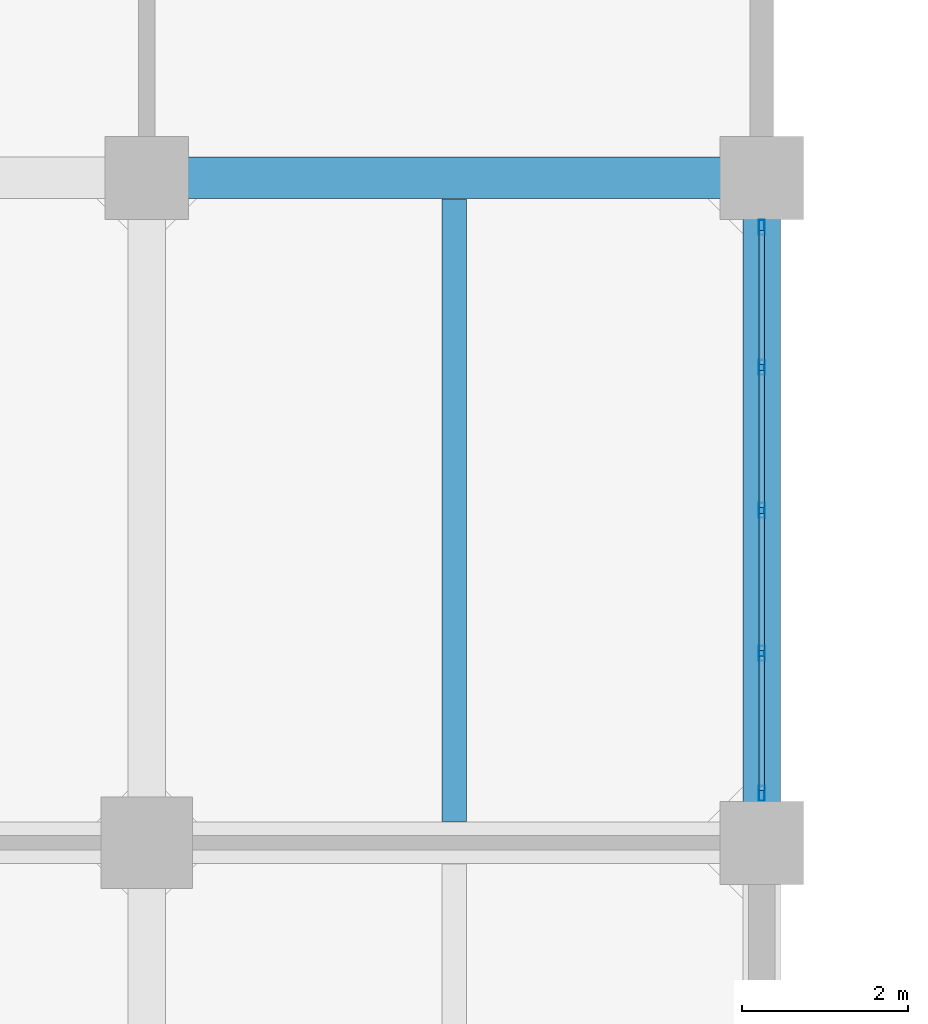
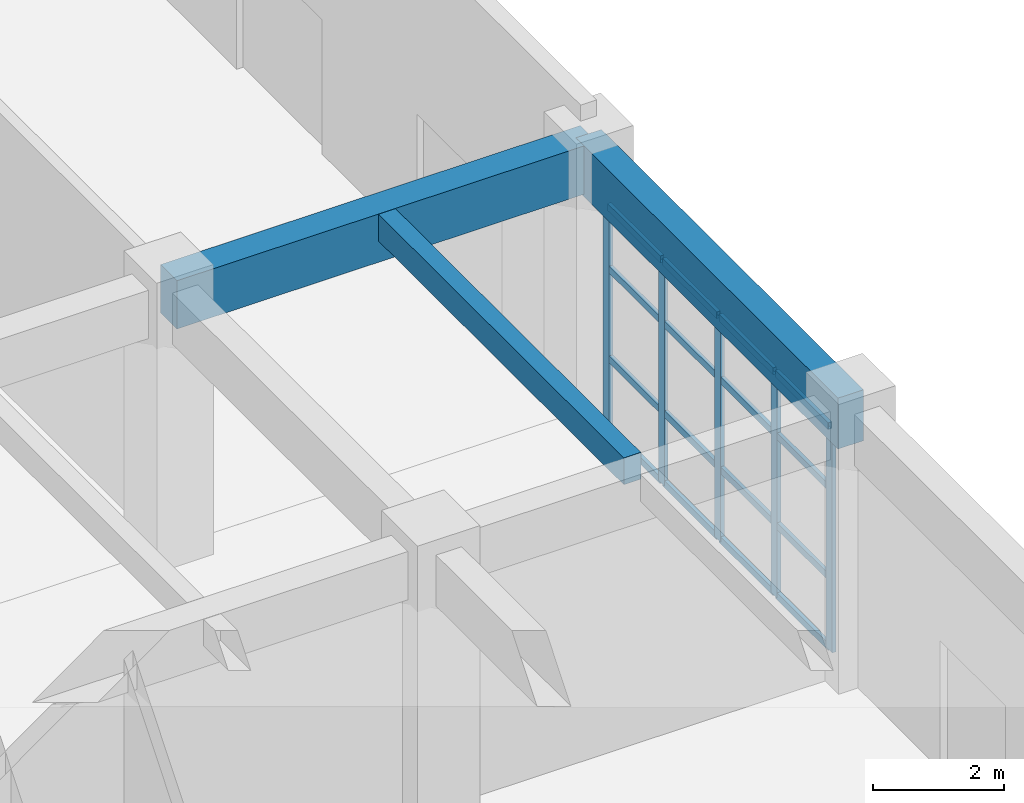
# One storey, part 58 of 90: 21 members, 3 beams, 1 element without a shape of its own.
"""IFC4 building model written with IfcOpenShell, lengths in metres."""

import ifcopenshell
import ifcopenshell.guid

model = None  # the IFC model being written
_history = None  # IfcOwnerHistory: only IFC2X3 demands one
_inside = {}  # id of a spatial element -> (the spatial element, [elements in it])
_under = {}  # id of a project, library or spatial element -> (it, [spatial elements below it])
_declared = {}  # id of a project -> (the project, [libraries it declares])
_typed = {}  # id of a type object -> (the type object, [elements of that type])
_made_of = {}  # id of a material, layer set ... -> (it, [elements and type objects made of it])


def new_model(schema):
    """Start an empty IFC model of exactly this schema.

    Asked for "IFC4X3", IfcOpenShell would pick the latest addendum, in which some entities
    have other attributes; the version numbers below select the first issue.
    IFC2X3 requires an IfcOwnerHistory on every rooted entity: one is made here for all.
    """
    global model, _history
    if schema == "IFC4X3":
        model = ifcopenshell.file(schema_version=(4, 3, 0, 0))
    else:
        model = ifcopenshell.file(schema=schema)
    _inside.clear()
    _under.clear()
    _declared.clear()
    _typed.clear()
    _made_of.clear()
    _history = None
    if model.schema == "IFC2X3":
        org = make("IfcOrganization", Name="unknown")
        user = make(
            "IfcPersonAndOrganization",
            ThePerson=make("IfcPerson", FamilyName="unknown"),
            TheOrganization=org,
        )
        app = make(
            "IfcApplication",
            ApplicationDeveloper=org,
            Version="unknown",
            ApplicationFullName="unknown",
            ApplicationIdentifier="unknown",
        )
        _history = make(
            "IfcOwnerHistory",
            OwningUser=user,
            OwningApplication=app,
            ChangeAction="ADDED",
            CreationDate=0,
        )
    return model


def make(cls, **values):
    """One entity of the class cls with the attributes given. An attribute that is None is left unset."""
    return model.create_entity(
        cls, **{name: value for name, value in values.items() if value is not None}
    )


def rooted(cls, **values):
    """An entity with a GlobalId (a new one), such as an element, a storey or a relation."""
    return make(cls, GlobalId=ifcopenshell.guid.new(), OwnerHistory=_history, **values)


def si_unit(unit_type, name, prefix=None):
    """IfcSIUnit, for example si_unit("LENGTHUNIT", "METRE", prefix="MILLI")."""
    return make("IfcSIUnit", UnitType=unit_type, Prefix=prefix, Name=name)


def assignment(units):
    """IfcUnitAssignment: the units of a project."""
    return None if units is None else make("IfcUnitAssignment", Units=units)


def point(xyz):
    """IfcCartesianPoint."""
    return None if xyz is None else make("IfcCartesianPoint", Coordinates=xyz)


def direction(xyz):
    """IfcDirection."""
    return None if xyz is None else make("IfcDirection", DirectionRatios=xyz)


def frame(location, z_axis=None, x_axis=None):
    """IfcAxis2Placement3D, a coordinate frame: its origin and axes. An axis left out is left unset."""
    return make(
        "IfcAxis2Placement3D",
        Location=point(location),
        Axis=direction(z_axis),
        RefDirection=direction(x_axis),
    )


def frame_2d(location, x_axis=None):
    """IfcAxis2Placement2D, a coordinate frame in the plane: its origin and x axis."""
    return make(
        "IfcAxis2Placement2D", Location=point(location), RefDirection=direction(x_axis)
    )


def origin():
    """The frame at (0, 0, 0) with its axes left unset."""
    return frame((0.0, 0.0, 0.0))


def origin_2d():
    """The frame at (0, 0) in the plane with its x axis left unset."""
    return frame_2d((0.0, 0.0))


def place(relative_to, where):
    """IfcLocalPlacement: puts the frame where relative to a parent placement (None: the world)."""
    return make(
        "IfcLocalPlacement", PlacementRelTo=relative_to, RelativePlacement=where
    )


def context(
    kind, dimensions, precision=None, world=None, true_north=None, identifier=None
):
    """IfcGeometricRepresentationContext, for example the 3D "Model" context."""
    return make(
        "IfcGeometricRepresentationContext",
        ContextIdentifier=identifier,
        ContextType=kind,
        CoordinateSpaceDimension=dimensions,
        Precision=precision,
        WorldCoordinateSystem=world,
        TrueNorth=true_north,
    )


def subcontext(parent, identifier, kind, view, scale=None):
    """IfcGeometricRepresentationSubContext, for example "Body" below "Model"."""
    return make(
        "IfcGeometricRepresentationSubContext",
        ContextIdentifier=identifier,
        ContextType=kind,
        ParentContext=parent,
        TargetScale=scale,
        TargetView=view,
    )


def project(units=None, contexts=None):
    """IfcProject with its units and contexts."""
    return rooted(
        "IfcProject",
        Name="project",
        RepresentationContexts=contexts,
        UnitsInContext=assignment(units),
    )


def spatial(cls, under=None, at=None, **own):
    """A site, building, storey or space (cls), placed at a placement, below another one or the project."""
    s = rooted(cls, ObjectPlacement=at, **own)
    if under is not None:
        _under.setdefault(under.id(), (under, []))[1].append(s)
    return s


def profile(cls, at=None, kind="AREA", **sizes):
    """A parametric profile (cls). Its sizes go by their IFC names, for example OverallWidth=200.0."""
    return make(cls, ProfileType=kind, Position=at, **sizes)


def rectangle(**sizes):
    """IfcRectangleProfileDef."""
    return profile("IfcRectangleProfileDef", **sizes)


def hollow_rectangle(**sizes):
    """IfcRectangleHollowProfileDef."""
    return profile("IfcRectangleHollowProfileDef", **sizes)


def extrude(swept, where, along, depth):
    """IfcExtrudedAreaSolid: the profile swept, set in the frame where, extruded along a direction by depth."""
    return make(
        "IfcExtrudedAreaSolid",
        SweptArea=swept,
        Position=where,
        ExtrudedDirection=direction(along),
        Depth=depth,
    )


def shape(context_of_items, identifier, shape_type, items):
    """IfcShapeRepresentation: the items that make up one representation, for example the "Body"."""
    return make(
        "IfcShapeRepresentation",
        ContextOfItems=context_of_items,
        RepresentationIdentifier=identifier,
        RepresentationType=shape_type,
        Items=items,
    )


def material(Name=None, Category=None):
    """IfcMaterial."""
    return make("IfcMaterial", Name=Name, Category=Category)


def layer(
    of_material, thickness, ventilated=None, Name=None, Category=None, Priority=None
):
    """IfcMaterialLayer: one layer of a wall or slab, of a material (None: an air gap)."""
    return make(
        "IfcMaterialLayer",
        Material=of_material,
        LayerThickness=thickness,
        IsVentilated=ventilated,
        Name=Name,
        Category=Category,
        Priority=Priority,
    )


def layer_set(layers, Name=None):
    """IfcMaterialLayerSet."""
    return make("IfcMaterialLayerSet", MaterialLayers=layers, LayerSetName=Name)


def material_profile(
    of_material, cross_section, Name=None, Category=None, Priority=None
):
    """IfcMaterialProfile: a cross section and its material."""
    return make(
        "IfcMaterialProfile",
        Name=Name,
        Material=of_material,
        Profile=cross_section,
        Priority=Priority,
        Category=Category,
    )


def profile_set(profiles, Name=None, composite=None):
    """IfcMaterialProfileSet."""
    return make(
        "IfcMaterialProfileSet",
        Name=Name,
        MaterialProfiles=profiles,
        CompositeProfile=composite,
    )


def made_of(thing, what):
    """Note that an element or type object is made of a material, layer set ...; save() writes the relation."""
    if what is not None:
        _made_of.setdefault(what.id(), (what, []))[1].append(thing)
    return thing


def type_object(cls, material=None, **own):
    """A type object (cls), such as IfcWallType, which elements share."""
    return made_of(rooted(cls, **own), material)


def element(
    cls,
    number,
    at=None,
    inside=None,
    cuts=None,
    type_object=None,
    material=None,
    context=None,
    identifier="Body",
    shape_type=None,
    held_by="IfcProductDefinitionShape",
    body=None,
    shapes=None,
    **own,
):
    """One element of the class cls, such as IfcWall. Its Tag is "e" and its number.

    at: its placement. inside: the storey or other place that contains it. cuts: it is an
    opening in that element (IfcRelVoidsElement). A single representation is given by context,
    identifier, shape_type and body (its items); several are given by shapes. held_by: the class
    of the entity that holds the representations. save() writes the other relations.
    """
    e = rooted(cls, Tag="e%d" % number, ObjectPlacement=at, **own)
    if body is not None:
        shapes = [shape(context, identifier, shape_type, body)]
    if shapes is not None:
        e.Representation = make(held_by, Representations=shapes)
    if inside is not None:
        _inside.setdefault(inside.id(), (inside, []))[1].append(e)
    if cuts is not None:
        rooted(
            "IfcRelVoidsElement", RelatingBuildingElement=cuts, RelatedOpeningElement=e
        )
    if type_object is not None:
        _typed.setdefault(type_object.id(), (type_object, []))[1].append(e)
    return made_of(e, material)


def aggregate(whole, parts):
    """IfcRelAggregates: a whole, such as a stair, and the parts it consists of."""
    return rooted("IfcRelAggregates", RelatingObject=whole, RelatedObjects=parts)


def save(model, path):
    """Write the relations noted so far, then the file.

    IfcRelAggregates (storeys below a building ...), IfcRelContainedInSpatialStructure (elements
    in a storey), IfcRelDefinesByType, IfcRelAssociatesMaterial and IfcRelDeclares: one each for
    every whole, place, type object, material and project.
    """
    for whole, parts in _under.values():
        aggregate(whole, parts)
    for where, things in _inside.values():
        rooted(
            "IfcRelContainedInSpatialStructure",
            RelatedElements=things,
            RelatingStructure=where,
        )
    for kind, things in _typed.values():
        rooted("IfcRelDefinesByType", RelatedObjects=things, RelatingType=kind)
    for what, things in _made_of.values():
        rooted("IfcRelAssociatesMaterial", RelatedObjects=things, RelatingMaterial=what)
    for by, libraries in _declared.values():
        rooted("IfcRelDeclares", RelatingContext=by, RelatedDefinitions=libraries)
    model.write(path)


model = new_model("IFC4")

# Units and contexts
model_context = context("Model", 3, precision=1e-05, world=origin(), true_north=direction((0.0, 1.0)))
body_context = subcontext(model_context, "Body", "Model", "MODEL_VIEW")
ifc_project = project(units=[si_unit("LENGTHUNIT", "METRE"), si_unit("AREAUNIT", "SQUARE_METRE"), si_unit("VOLUMEUNIT", "CUBIC_METRE"), si_unit("PLANEANGLEUNIT", "RADIAN"), si_unit("MASSUNIT", "GRAM", prefix="KILO")], contexts=[model_context])

# Site, building, storey
site_placement = place(None, origin())
site = spatial("IfcSite", under=ifc_project, at=site_placement, CompositionType="ELEMENT")
building_placement = place(site_placement, origin())
building = spatial("IfcBuilding", under=site, at=building_placement, Name="Canggui Botanical Conservatory", CompositionType="ELEMENT")
storey_placement = place(building_placement, origin())
storey = spatial("IfcBuildingStorey", under=building, at=storey_placement, Name="L01", CompositionType="ELEMENT", Elevation=0.0)

# Beams
ifc_material_1 = material(Name="Concrete C35", Category="concrete")
ifc_material_profile_1 = material_profile(ifc_material_1, rectangle(XDim=0.300048828125, YDim=0.5, at=origin_2d()), Name="RB 300x500")
ifc_profile_set_1 = profile_set([ifc_material_profile_1], Name="Concrete C35")
beam_type_1 = type_object("IfcBeamType", Name="BM-JST02", PredefinedType="JOIST", material=ifc_profile_set_1)
beam_1_placement = place(storey_placement, frame((173.699951171875, 74.2548828125, 4.8701171875), z_axis=(0.0, 1.0, 0.0), x_axis=(-1.0, 0.0, 0.0)))
element("IfcBeam", 1, at=beam_1_placement, inside=storey, type_object=beam_type_1, Name="Secondary Floor Joist L01-6-7", PredefinedType="JOIST", context=body_context, shape_type="SweptSolid", body=[
    extrude(rectangle(XDim=0.300048828125, YDim=0.5, at=origin_2d()), origin(), (0.0, 0.0, 1.0), 7.490234375),
])
ifc_material_profile_2 = material_profile(ifc_material_1, rectangle(XDim=0.5, YDim=0.89990234375, at=origin_2d()), Name="RB 500x900")
ifc_profile_set_2 = profile_set([ifc_material_profile_2], Name="Concrete C35")
beam_type_2 = type_object("IfcBeamType", Name="BM-KL03", PredefinedType="BEAM", material=ifc_profile_set_2)
beam_2_placement = place(storey_placement, frame((170.0, 82.0, 4.669921875), z_axis=(1.0, 0.0, 0.0), x_axis=(0.0, 1.0, 0.0)))
element("IfcBeam", 2, at=beam_2_placement, inside=storey, type_object=beam_type_2, Name="Frame Girder L01 Y82-6", PredefinedType="BEAM", context=body_context, shape_type="SweptSolid", body=[
    extrude(rectangle(XDim=0.5, YDim=0.89990234375, at=origin_2d()), origin(), (0.0, 0.0, 1.0), 7.39990234375),
])
ifc_material_profile_3 = material_profile(ifc_material_1, rectangle(XDim=0.449951171875, YDim=0.949951171875, at=origin_2d()), Name="RB 450x950")
ifc_profile_set_3 = profile_set([ifc_material_profile_3], Name="Concrete C35")
beam_type_3 = type_object("IfcBeamType", Name="BM-KL04", PredefinedType="BEAM", material=ifc_profile_set_3)
beam_3_placement = place(storey_placement, frame((177.39990234375, 74.0, 4.64501953125), z_axis=(0.0, 1.0, 0.0), x_axis=(-1.0, 0.0, 0.0)))
element("IfcBeam", 3, at=beam_3_placement, inside=storey, type_object=beam_type_3, Name="Frame Girder L01 X178-7", PredefinedType="BEAM", context=body_context, shape_type="SweptSolid", body=[
    extrude(rectangle(XDim=0.449951171875, YDim=0.949951171875, at=origin_2d()), origin(), (0.0, 0.0, 1.0), 8.0),
])

# Curtain wall, members
ifc_material_2 = material(Name="Thermally Broken Aluminium", Category="aluminium")
ifc_layer = layer(ifc_material_2, 0.179931640625, Name="Thermally Broken Aluminium", Category="aluminium")
ifc_layer_set = layer_set([ifc_layer], Name="Thermally Broken Aluminium")
curtain_wall_type = type_object("IfcCurtainWallType", Name="CW-UNIT-A", PredefinedType="USERDEFINED", material=ifc_layer_set)
curtain_wall_placement = place(storey_placement, origin())
curtain_wall = element("IfcCurtainWall", 4, at=curtain_wall_placement, inside=storey, type_object=curtain_wall_type, Name="Facade Curtain Wall CW-TWR-L01-15", ObjectType="UNITISED CURTAIN WALL", PredefinedType="USERDEFINED")
ifc_material_profile_4 = material_profile(ifc_material_2, hollow_rectangle(XDim=0.070068359375, YDim=0.179931640625, WallThickness=0.00390625, at=origin_2d()), Name="CWM 70x180x4")
ifc_profile_set_4 = profile_set([ifc_material_profile_4], Name="Thermally Broken Aluminium")
member_type_1 = type_object("IfcMemberType", Name="CWM-01", PredefinedType="MULLION", material=ifc_profile_set_4)
member_1_placement = place(storey_placement, frame((177.39990234375, 81.405029296875, 0.0), z_axis=(0.0, 0.0, 1.0), x_axis=(1.0, 0.0, 0.0)))
member_1 = element("IfcMember", 5, at=member_1_placement, type_object=member_type_1, Name="CW-01 mullion 1", PredefinedType="MULLION", context=body_context, shape_type="SweptSolid", body=[
    extrude(hollow_rectangle(XDim=0.070068359375, YDim=0.179931640625, WallThickness=0.00390625, at=origin_2d()), origin(), (0.0, 0.0, 1.0), 4.179931640625),
])
member_2_placement = place(storey_placement, frame((177.39990234375, 79.719970703125, 0.0), z_axis=(0.0, 0.0, 1.0), x_axis=(1.0, 0.0, 0.0)))
member_2 = element("IfcMember", 6, at=member_2_placement, type_object=member_type_1, Name="CW-01 mullion 2", PredefinedType="MULLION", context=body_context, shape_type="SweptSolid", body=[
    extrude(hollow_rectangle(XDim=0.070068359375, YDim=0.179931640625, WallThickness=0.00390625, at=origin_2d()), origin(), (0.0, 0.0, 1.0), 4.179931640625),
])
member_3_placement = place(storey_placement, frame((177.39990234375, 78.0, 0.0), z_axis=(0.0, 0.0, 1.0), x_axis=(1.0, 0.0, 0.0)))
member_3 = element("IfcMember", 7, at=member_3_placement, type_object=member_type_1, Name="CW-01 mullion 3", PredefinedType="MULLION", context=body_context, shape_type="SweptSolid", body=[
    extrude(hollow_rectangle(XDim=0.070068359375, YDim=0.179931640625, WallThickness=0.00390625, at=origin_2d()), origin(), (0.0, 0.0, 1.0), 4.179931640625),
])
member_4_placement = place(storey_placement, frame((177.39990234375, 76.280029296875, 0.0), z_axis=(0.0, 0.0, 1.0), x_axis=(1.0, 0.0, 0.0)))
member_4 = element("IfcMember", 8, at=member_4_placement, type_object=member_type_1, Name="CW-01 mullion 4", PredefinedType="MULLION", context=body_context, shape_type="SweptSolid", body=[
    extrude(hollow_rectangle(XDim=0.070068359375, YDim=0.179931640625, WallThickness=0.00390625, at=origin_2d()), origin(), (0.0, 0.0, 1.0), 4.179931640625),
])
member_5_placement = place(storey_placement, frame((177.39990234375, 74.594970703125, 0.0), z_axis=(0.0, 0.0, 1.0), x_axis=(1.0, 0.0, 0.0)))
member_5 = element("IfcMember", 9, at=member_5_placement, type_object=member_type_1, Name="CW-01 mullion 5", PredefinedType="MULLION", context=body_context, shape_type="SweptSolid", body=[
    extrude(hollow_rectangle(XDim=0.070068359375, YDim=0.179931640625, WallThickness=0.00390625, at=origin_2d()), origin(), (0.0, 0.0, 1.0), 4.179931640625),
])
ifc_material_profile_5 = material_profile(ifc_material_2, hollow_rectangle(XDim=0.06494140625, YDim=0.1298828125, WallThickness=0.00341796875, at=origin_2d()), Name="CWT 65x130x3.5")
ifc_profile_set_5 = profile_set([ifc_material_profile_5], Name="Thermally Broken Aluminium")
member_type_2 = type_object("IfcMemberType", Name="CWT-01", PredefinedType="USERDEFINED", material=ifc_profile_set_5)
member_6_placement = place(storey_placement, frame((177.39990234375, 81.3701171875, 0.032470703125), z_axis=(0.0, -1.0, 0.0), x_axis=(1.0, 0.0, 0.0)))
member_6 = element("IfcMember", 10, at=member_6_placement, type_object=member_type_2, Name="CW-01 transom 1.1", ObjectType="TRANSOM", PredefinedType="USERDEFINED", context=body_context, shape_type="SweptSolid", body=[
    extrude(hollow_rectangle(XDim=0.06494140625, YDim=0.1298828125, WallThickness=0.00341796875, at=origin_2d()), origin(), (0.0, 0.0, 1.0), 1.615234375),
])
member_7_placement = place(storey_placement, frame((177.39990234375, 81.3701171875, 1.337646484375), z_axis=(0.0, -1.0, 0.0), x_axis=(1.0, 0.0, 0.0)))
member_7 = element("IfcMember", 11, at=member_7_placement, type_object=member_type_2, Name="CW-01 transom 1.2", ObjectType="TRANSOM", PredefinedType="USERDEFINED", context=body_context, shape_type="SweptSolid", body=[
    extrude(hollow_rectangle(XDim=0.06494140625, YDim=0.1298828125, WallThickness=0.00341796875, at=origin_2d()), origin(), (0.0, 0.0, 1.0), 1.615234375),
])
member_8_placement = place(storey_placement, frame((177.39990234375, 81.3701171875, 3.009521484375), z_axis=(0.0, -1.0, 0.0), x_axis=(1.0, 0.0, 0.0)))
member_8 = element("IfcMember", 12, at=member_8_placement, type_object=member_type_2, Name="CW-01 transom 1.3", ObjectType="TRANSOM", PredefinedType="USERDEFINED", context=body_context, shape_type="SweptSolid", body=[
    extrude(hollow_rectangle(XDim=0.06494140625, YDim=0.1298828125, WallThickness=0.00341796875, at=origin_2d()), origin(), (0.0, 0.0, 1.0), 1.615234375),
])
member_9_placement = place(storey_placement, frame((177.39990234375, 81.3701171875, 4.1474609375), z_axis=(0.0, -1.0, 0.0), x_axis=(1.0, 0.0, 0.0)))
member_9 = element("IfcMember", 13, at=member_9_placement, type_object=member_type_2, Name="CW-01 transom 1.4", ObjectType="TRANSOM", PredefinedType="USERDEFINED", context=body_context, shape_type="SweptSolid", body=[
    extrude(hollow_rectangle(XDim=0.06494140625, YDim=0.1298828125, WallThickness=0.00341796875, at=origin_2d()), origin(), (0.0, 0.0, 1.0), 1.615234375),
])
member_10_placement = place(storey_placement, frame((177.39990234375, 79.68505859375, 0.032470703125), z_axis=(0.0, -1.0, 0.0), x_axis=(1.0, 0.0, 0.0)))
member_10 = element("IfcMember", 14, at=member_10_placement, type_object=member_type_2, Name="CW-01 transom 2.1", ObjectType="TRANSOM", PredefinedType="USERDEFINED", context=body_context, shape_type="SweptSolid", body=[
    extrude(hollow_rectangle(XDim=0.06494140625, YDim=0.1298828125, WallThickness=0.00341796875, at=origin_2d()), origin(), (0.0, 0.0, 1.0), 1.650146484375),
])
member_11_placement = place(storey_placement, frame((177.39990234375, 79.68505859375, 1.337646484375), z_axis=(0.0, -1.0, 0.0), x_axis=(1.0, 0.0, 0.0)))
member_11 = element("IfcMember", 15, at=member_11_placement, type_object=member_type_2, Name="CW-01 transom 2.2", ObjectType="TRANSOM", PredefinedType="USERDEFINED", context=body_context, shape_type="SweptSolid", body=[
    extrude(hollow_rectangle(XDim=0.06494140625, YDim=0.1298828125, WallThickness=0.00341796875, at=origin_2d()), origin(), (0.0, 0.0, 1.0), 1.650146484375),
])
member_12_placement = place(storey_placement, frame((177.39990234375, 79.68505859375, 3.009521484375), z_axis=(0.0, -1.0, 0.0), x_axis=(1.0, 0.0, 0.0)))
member_12 = element("IfcMember", 16, at=member_12_placement, type_object=member_type_2, Name="CW-01 transom 2.3", ObjectType="TRANSOM", PredefinedType="USERDEFINED", context=body_context, shape_type="SweptSolid", body=[
    extrude(hollow_rectangle(XDim=0.06494140625, YDim=0.1298828125, WallThickness=0.00341796875, at=origin_2d()), origin(), (0.0, 0.0, 1.0), 1.650146484375),
])
member_13_placement = place(storey_placement, frame((177.39990234375, 79.68505859375, 4.1474609375), z_axis=(0.0, -1.0, 0.0), x_axis=(1.0, 0.0, 0.0)))
member_13 = element("IfcMember", 17, at=member_13_placement, type_object=member_type_2, Name="CW-01 transom 2.4", ObjectType="TRANSOM", PredefinedType="USERDEFINED", context=body_context, shape_type="SweptSolid", body=[
    extrude(hollow_rectangle(XDim=0.06494140625, YDim=0.1298828125, WallThickness=0.00341796875, at=origin_2d()), origin(), (0.0, 0.0, 1.0), 1.650146484375),
])
member_14_placement = place(storey_placement, frame((177.39990234375, 77.965087890625, 0.032470703125), z_axis=(0.0, -1.0, 0.0), x_axis=(1.0, 0.0, 0.0)))
member_14 = element("IfcMember", 18, at=member_14_placement, type_object=member_type_2, Name="CW-01 transom 3.1", ObjectType="TRANSOM", PredefinedType="USERDEFINED", context=body_context, shape_type="SweptSolid", body=[
    extrude(hollow_rectangle(XDim=0.06494140625, YDim=0.1298828125, WallThickness=0.00341796875, at=origin_2d()), origin(), (0.0, 0.0, 1.0), 1.650146484375),
])
member_15_placement = place(storey_placement, frame((177.39990234375, 77.965087890625, 1.337646484375), z_axis=(0.0, -1.0, 0.0), x_axis=(1.0, 0.0, 0.0)))
member_15 = element("IfcMember", 19, at=member_15_placement, type_object=member_type_2, Name="CW-01 transom 3.2", ObjectType="TRANSOM", PredefinedType="USERDEFINED", context=body_context, shape_type="SweptSolid", body=[
    extrude(hollow_rectangle(XDim=0.06494140625, YDim=0.1298828125, WallThickness=0.00341796875, at=origin_2d()), origin(), (0.0, 0.0, 1.0), 1.650146484375),
])
member_16_placement = place(storey_placement, frame((177.39990234375, 77.965087890625, 3.009521484375), z_axis=(0.0, -1.0, 0.0), x_axis=(1.0, 0.0, 0.0)))
member_16 = element("IfcMember", 20, at=member_16_placement, type_object=member_type_2, Name="CW-01 transom 3.3", ObjectType="TRANSOM", PredefinedType="USERDEFINED", context=body_context, shape_type="SweptSolid", body=[
    extrude(hollow_rectangle(XDim=0.06494140625, YDim=0.1298828125, WallThickness=0.00341796875, at=origin_2d()), origin(), (0.0, 0.0, 1.0), 1.650146484375),
])
member_17_placement = place(storey_placement, frame((177.39990234375, 77.965087890625, 4.1474609375), z_axis=(0.0, -1.0, 0.0), x_axis=(1.0, 0.0, 0.0)))
member_17 = element("IfcMember", 21, at=member_17_placement, type_object=member_type_2, Name="CW-01 transom 3.4", ObjectType="TRANSOM", PredefinedType="USERDEFINED", context=body_context, shape_type="SweptSolid", body=[
    extrude(hollow_rectangle(XDim=0.06494140625, YDim=0.1298828125, WallThickness=0.00341796875, at=origin_2d()), origin(), (0.0, 0.0, 1.0), 1.650146484375),
])
member_18_placement = place(storey_placement, frame((177.39990234375, 76.2451171875, 0.032470703125), z_axis=(0.0, -1.0, 0.0), x_axis=(1.0, 0.0, 0.0)))
member_18 = element("IfcMember", 22, at=member_18_placement, type_object=member_type_2, Name="CW-01 transom 4.1", ObjectType="TRANSOM", PredefinedType="USERDEFINED", context=body_context, shape_type="SweptSolid", body=[
    extrude(hollow_rectangle(XDim=0.06494140625, YDim=0.1298828125, WallThickness=0.00341796875, at=origin_2d()), origin(), (0.0, 0.0, 1.0), 1.615234375),
])
member_19_placement = place(storey_placement, frame((177.39990234375, 76.2451171875, 1.337646484375), z_axis=(0.0, -1.0, 0.0), x_axis=(1.0, 0.0, 0.0)))
member_19 = element("IfcMember", 23, at=member_19_placement, type_object=member_type_2, Name="CW-01 transom 4.2", ObjectType="TRANSOM", PredefinedType="USERDEFINED", context=body_context, shape_type="SweptSolid", body=[
    extrude(hollow_rectangle(XDim=0.06494140625, YDim=0.1298828125, WallThickness=0.00341796875, at=origin_2d()), origin(), (0.0, 0.0, 1.0), 1.615234375),
])
member_20_placement = place(storey_placement, frame((177.39990234375, 76.2451171875, 3.009521484375), z_axis=(0.0, -1.0, 0.0), x_axis=(1.0, 0.0, 0.0)))
member_20 = element("IfcMember", 24, at=member_20_placement, type_object=member_type_2, Name="CW-01 transom 4.3", ObjectType="TRANSOM", PredefinedType="USERDEFINED", context=body_context, shape_type="SweptSolid", body=[
    extrude(hollow_rectangle(XDim=0.06494140625, YDim=0.1298828125, WallThickness=0.00341796875, at=origin_2d()), origin(), (0.0, 0.0, 1.0), 1.615234375),
])
member_21_placement = place(storey_placement, frame((177.39990234375, 76.2451171875, 4.1474609375), z_axis=(0.0, -1.0, 0.0), x_axis=(1.0, 0.0, 0.0)))
member_21 = element("IfcMember", 25, at=member_21_placement, type_object=member_type_2, Name="CW-01 transom 4.4", ObjectType="TRANSOM", PredefinedType="USERDEFINED", context=body_context, shape_type="SweptSolid", body=[
    extrude(hollow_rectangle(XDim=0.06494140625, YDim=0.1298828125, WallThickness=0.00341796875, at=origin_2d()), origin(), (0.0, 0.0, 1.0), 1.615234375),
])
aggregate(curtain_wall, [member_1, member_2, member_3, member_4, member_5, member_6, member_7, member_8, member_9, member_10, member_11, member_12, member_13, member_14, member_15, member_16, member_17, member_18, member_19, member_20, member_21])

save(model, "model.ifc")
